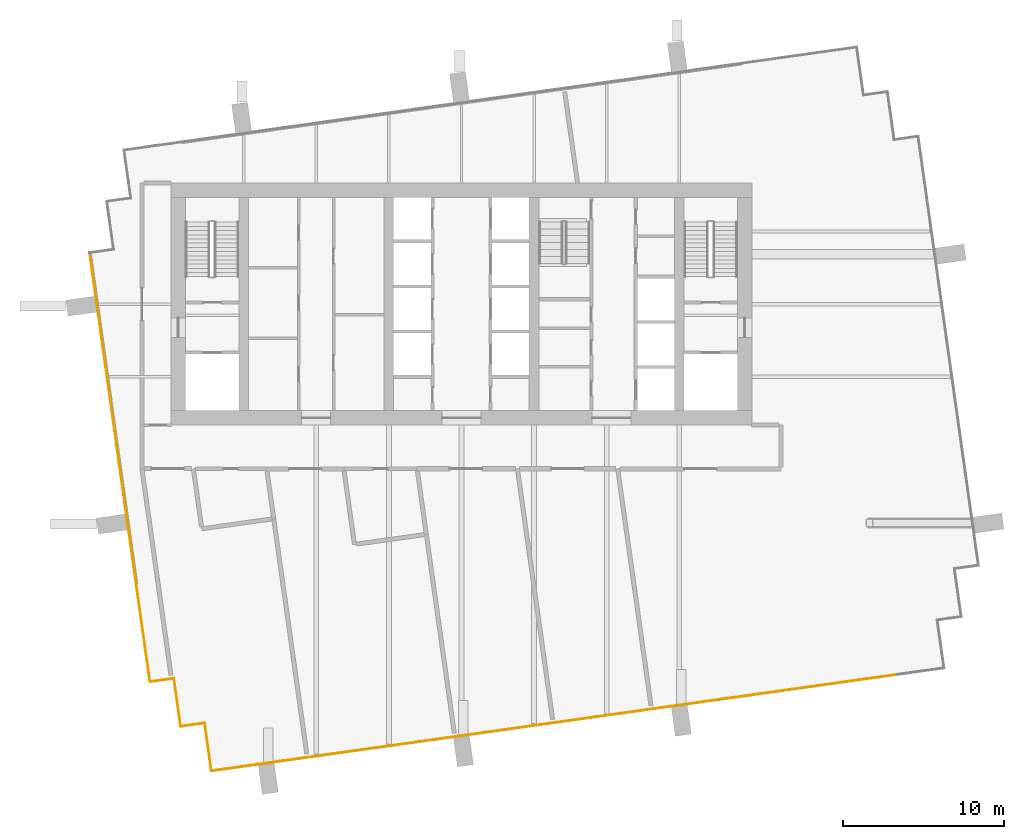
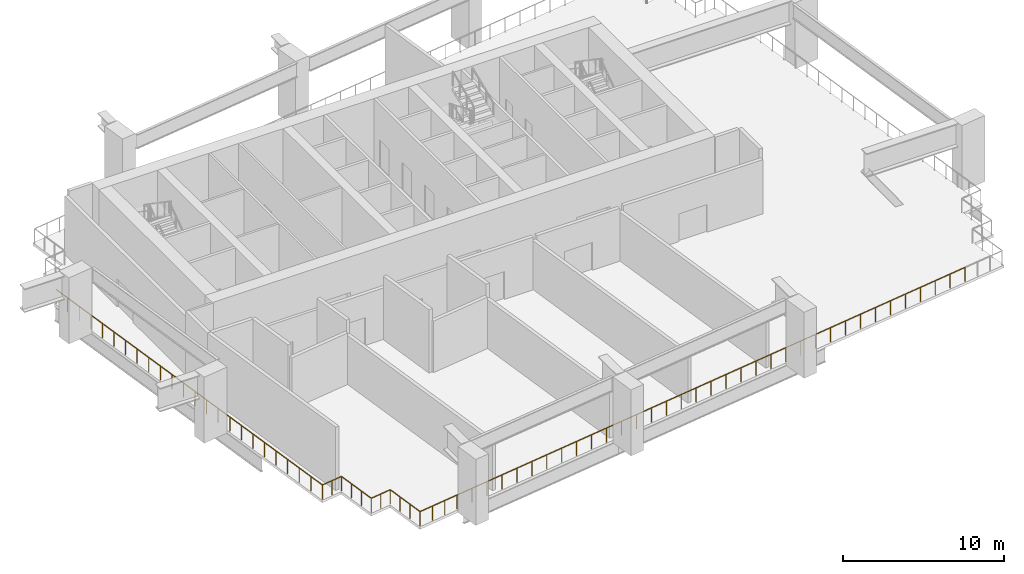
# One storey, part 5 of 10: 6 railings.
"""IFC4 building model written with IfcOpenShell, lengths in metres."""

from ifc_helpers import new_model, si_unit, direction, frame, origin, origin_2d, place, context, subcontext, project, spatial, rectangle, extrude, material, type_object, element, save


model = new_model("IFC4")

# Units and contexts
model_context = context("Model", 3, precision=1e-05, world=origin(), true_north=direction((0.0, 1.0)))
body_context = subcontext(model_context, "Body", "Model", "MODEL_VIEW")
ifc_project = project(units=[si_unit("LENGTHUNIT", "METRE"), si_unit("AREAUNIT", "SQUARE_METRE"), si_unit("VOLUMEUNIT", "CUBIC_METRE"), si_unit("PLANEANGLEUNIT", "RADIAN"), si_unit("MASSUNIT", "GRAM", prefix="KILO")], contexts=[model_context])

# Site, building, storey
site_placement = place(None, origin())
site = spatial("IfcSite", under=ifc_project, at=site_placement, CompositionType="ELEMENT")
building_placement = place(site_placement, origin())
building = spatial("IfcBuilding", under=site, at=building_placement, Name="Rattan Terrace Tower", CompositionType="ELEMENT")
storey_placement = place(building_placement, frame((0.0, 0.0, 244.699951171875)))
storey = spatial("IfcBuildingStorey", under=building, at=storey_placement, Name="L56", CompositionType="ELEMENT", Elevation=244.699951171875)

# Railings
ifc_material = material(Name="Stainless steel 316", Category="steel")
railing_type = type_object("IfcRailingType", Name="Facade Guard 1100", PredefinedType="GUARDRAIL", material=ifc_material)
railing_1_placement = place(storey_placement, frame((27.008056640625, -22.947998046875, 0.0)))
element("IfcRailing", 1, at=railing_1_placement, inside=storey, type_object=railing_type, Name="Guard L56-1", PredefinedType="GUARDRAIL", context=body_context, shape_type="SweptSolid", body=[
    extrude(rectangle(XDim=0.048095703125, YDim=0.048095703125, at=origin_2d()), frame((0.0, 0.0, 1.076171875), z_axis=(-0.990267872444, -0.139174497682, 0.0), x_axis=(0.139174497682, -0.990267872444, 0.0)), (0.0, 0.0, 1.0), 39.999267578125),
    extrude(rectangle(XDim=0.048095703125, YDim=0.048095703125, at=origin_2d()), frame((-39.610107421875, -5.56689453125, 1.076171875), z_axis=(-0.990287717845, -0.139033218639, 0.0), x_axis=(0.139033218639, -0.990287717845, 0.0)), (0.0, 0.0, 1.0), 2.920166015625),
    extrude(rectangle(XDim=0.0419921875, YDim=0.0419921875, at=origin_2d()), origin(), (0.0, 0.0, 1.0), 1.052001953125),
    extrude(rectangle(XDim=0.0419921875, YDim=0.0419921875, at=origin_2d()), frame((-1.1650390625, -0.163818359375, 0.0)), (0.0, 0.0, 1.0), 1.052001953125),
    extrude(rectangle(XDim=0.0419921875, YDim=0.0419921875, at=origin_2d()), frame((-2.330078125, -0.327392578125, 0.0)), (0.0, 0.0, 1.0), 1.052001953125),
    extrude(rectangle(XDim=0.0419921875, YDim=0.0419921875, at=origin_2d()), frame((-3.4951171875, -0.4912109375, 0.0)), (0.0, 0.0, 1.0), 1.052001953125),
    extrude(rectangle(XDim=0.0419921875, YDim=0.0419921875, at=origin_2d()), frame((-4.659912109375, -0.655029296875, 0.0)), (0.0, 0.0, 1.0), 1.052001953125),
    extrude(rectangle(XDim=0.0419921875, YDim=0.0419921875, at=origin_2d()), frame((-5.824951171875, -0.818603515625, 0.0)), (0.0, 0.0, 1.0), 1.052001953125),
    extrude(rectangle(XDim=0.0419921875, YDim=0.0419921875, at=origin_2d()), frame((-6.989990234375, -0.982421875, 0.0)), (0.0, 0.0, 1.0), 1.052001953125),
    extrude(rectangle(XDim=0.0419921875, YDim=0.0419921875, at=origin_2d()), frame((-8.155029296875, -1.146240234375, 0.0)), (0.0, 0.0, 1.0), 1.052001953125),
    extrude(rectangle(XDim=0.0419921875, YDim=0.0419921875, at=origin_2d()), frame((-9.320068359375, -1.309814453125, 0.0)), (0.0, 0.0, 1.0), 1.052001953125),
    extrude(rectangle(XDim=0.0419921875, YDim=0.0419921875, at=origin_2d()), frame((-10.485107421875, -1.4736328125, 0.0)), (0.0, 0.0, 1.0), 1.052001953125),
    extrude(rectangle(XDim=0.0419921875, YDim=0.0419921875, at=origin_2d()), frame((-11.650146484375, -1.63720703125, 0.0)), (0.0, 0.0, 1.0), 1.052001953125),
    extrude(rectangle(XDim=0.0419921875, YDim=0.0419921875, at=origin_2d()), frame((-12.81494140625, -1.801025390625, 0.0)), (0.0, 0.0, 1.0), 1.052001953125),
    extrude(rectangle(XDim=0.0419921875, YDim=0.0419921875, at=origin_2d()), frame((-13.97998046875, -1.96484375, 0.0)), (0.0, 0.0, 1.0), 1.052001953125),
    extrude(rectangle(XDim=0.0419921875, YDim=0.0419921875, at=origin_2d()), frame((-15.14501953125, -2.12841796875, 0.0)), (0.0, 0.0, 1.0), 1.052001953125),
    extrude(rectangle(XDim=0.0419921875, YDim=0.0419921875, at=origin_2d()), frame((-16.31005859375, -2.292236328125, 0.0)), (0.0, 0.0, 1.0), 1.052001953125),
    extrude(rectangle(XDim=0.0419921875, YDim=0.0419921875, at=origin_2d()), frame((-17.47509765625, -2.4560546875, 0.0)), (0.0, 0.0, 1.0), 1.052001953125),
    extrude(rectangle(XDim=0.0419921875, YDim=0.0419921875, at=origin_2d()), frame((-18.64013671875, -2.61962890625, 0.0)), (0.0, 0.0, 1.0), 1.052001953125),
    extrude(rectangle(XDim=0.0419921875, YDim=0.0419921875, at=origin_2d()), frame((-19.80517578125, -2.783447265625, 0.0)), (0.0, 0.0, 1.0), 1.052001953125),
    extrude(rectangle(XDim=0.0419921875, YDim=0.0419921875, at=origin_2d()), frame((-20.969970703125, -2.947265625, 0.0)), (0.0, 0.0, 1.0), 1.052001953125),
    extrude(rectangle(XDim=0.0419921875, YDim=0.0419921875, at=origin_2d()), frame((-22.135009765625, -3.11083984375, 0.0)), (0.0, 0.0, 1.0), 1.052001953125),
    extrude(rectangle(XDim=0.0419921875, YDim=0.0419921875, at=origin_2d()), frame((-23.300048828125, -3.274658203125, 0.0)), (0.0, 0.0, 1.0), 1.052001953125),
    extrude(rectangle(XDim=0.0419921875, YDim=0.0419921875, at=origin_2d()), frame((-24.465087890625, -3.4384765625, 0.0)), (0.0, 0.0, 1.0), 1.052001953125),
    extrude(rectangle(XDim=0.0419921875, YDim=0.0419921875, at=origin_2d()), frame((-25.630126953125, -3.60205078125, 0.0)), (0.0, 0.0, 1.0), 1.052001953125),
    extrude(rectangle(XDim=0.0419921875, YDim=0.0419921875, at=origin_2d()), frame((-26.795166015625, -3.765869140625, 0.0)), (0.0, 0.0, 1.0), 1.052001953125),
    extrude(rectangle(XDim=0.0419921875, YDim=0.0419921875, at=origin_2d()), frame((-27.9599609375, -3.9296875, 0.0)), (0.0, 0.0, 1.0), 1.052001953125),
    extrude(rectangle(XDim=0.0419921875, YDim=0.0419921875, at=origin_2d()), frame((-29.125, -4.09326171875, 0.0)), (0.0, 0.0, 1.0), 1.052001953125),
    extrude(rectangle(XDim=0.0419921875, YDim=0.0419921875, at=origin_2d()), frame((-30.2900390625, -4.257080078125, 0.0)), (0.0, 0.0, 1.0), 1.052001953125),
    extrude(rectangle(XDim=0.0419921875, YDim=0.0419921875, at=origin_2d()), frame((-31.455078125, -4.420654296875, 0.0)), (0.0, 0.0, 1.0), 1.052001953125),
    extrude(rectangle(XDim=0.0419921875, YDim=0.0419921875, at=origin_2d()), frame((-32.6201171875, -4.58447265625, 0.0)), (0.0, 0.0, 1.0), 1.052001953125),
    extrude(rectangle(XDim=0.0419921875, YDim=0.0419921875, at=origin_2d()), frame((-33.78515625, -4.748291015625, 0.0)), (0.0, 0.0, 1.0), 1.052001953125),
    extrude(rectangle(XDim=0.0419921875, YDim=0.0419921875, at=origin_2d()), frame((-34.9501953125, -4.911865234375, 0.0)), (0.0, 0.0, 1.0), 1.052001953125),
    extrude(rectangle(XDim=0.0419921875, YDim=0.0419921875, at=origin_2d()), frame((-36.114990234375, -5.07568359375, 0.0)), (0.0, 0.0, 1.0), 1.052001953125),
    extrude(rectangle(XDim=0.0419921875, YDim=0.0419921875, at=origin_2d()), frame((-37.280029296875, -5.239501953125, 0.0)), (0.0, 0.0, 1.0), 1.052001953125),
    extrude(rectangle(XDim=0.0419921875, YDim=0.0419921875, at=origin_2d()), frame((-38.445068359375, -5.403076171875, 0.0)), (0.0, 0.0, 1.0), 1.052001953125),
    extrude(rectangle(XDim=0.0419921875, YDim=0.0419921875, at=origin_2d()), frame((-39.610107421875, -5.56689453125, 0.0)), (0.0, 0.0, 1.0), 1.052001953125),
    extrude(rectangle(XDim=0.0419921875, YDim=0.0419921875, at=origin_2d()), frame((-40.573974609375, -5.7021484375, 0.0)), (0.0, 0.0, 1.0), 1.052001953125),
    extrude(rectangle(XDim=0.0419921875, YDim=0.0419921875, at=origin_2d()), frame((-41.5380859375, -5.837646484375, 0.0)), (0.0, 0.0, 1.0), 1.052001953125),
])
railing_2_placement = place(storey_placement, frame((-15.493896484375, -28.9208984375, 0.0)))
element("IfcRailing", 2, at=railing_2_placement, inside=storey, type_object=railing_type, Name="Guard L56-2", PredefinedType="GUARDRAIL", context=body_context, shape_type="SweptSolid", body=[
    extrude(rectangle(XDim=0.048095703125, YDim=0.048095703125, at=origin_2d()), frame((0.0, 0.0, 1.076171875), z_axis=(-0.139393225799, 0.990237107263, 0.0), x_axis=(-0.990237107263, -0.139393225799, 0.0)), (0.0, 0.0, 1.0), 3.000244140625),
    extrude(rectangle(XDim=0.0419921875, YDim=0.0419921875, at=origin_2d()), origin(), (0.0, 0.0, 1.0), 1.052001953125),
    extrude(rectangle(XDim=0.0419921875, YDim=0.0419921875, at=origin_2d()), frame((-0.139404296875, 0.990234375, 0.0)), (0.0, 0.0, 1.0), 1.052001953125),
    extrude(rectangle(XDim=0.0419921875, YDim=0.0419921875, at=origin_2d()), frame((-0.27880859375, 1.980712890625, 0.0)), (0.0, 0.0, 1.0), 1.052001953125),
])
railing_3_placement = place(storey_placement, frame((-15.912109375, -25.949951171875, 0.0)))
element("IfcRailing", 3, at=railing_3_placement, inside=storey, type_object=railing_type, Name="Guard L56-3", PredefinedType="GUARDRAIL", context=body_context, shape_type="SweptSolid", body=[
    extrude(rectangle(XDim=0.048095703125, YDim=0.048095703125, at=origin_2d()), frame((0.0, 0.0, 1.076171875), z_axis=(-0.990240434918, -0.139369584395, 0.0), x_axis=(0.139369584395, -0.990240434918, 0.0)), (0.0, 0.0, 1.0), 1.49951171875),
    extrude(rectangle(XDim=0.0419921875, YDim=0.0419921875, at=origin_2d()), origin(), (0.0, 0.0, 1.0), 1.052001953125),
    extrude(rectangle(XDim=0.0419921875, YDim=0.0419921875, at=origin_2d()), frame((-0.742431640625, -0.1044921875, 0.0)), (0.0, 0.0, 1.0), 1.052001953125),
])
railing_4_placement = place(storey_placement, frame((-17.39697265625, -26.158935546875, 0.0)))
element("IfcRailing", 4, at=railing_4_placement, inside=storey, type_object=railing_type, Name="Guard L56-4", PredefinedType="GUARDRAIL", context=body_context, shape_type="SweptSolid", body=[
    extrude(rectangle(XDim=0.048095703125, YDim=0.048095703125, at=origin_2d()), frame((0.0, 0.0, 1.076171875), z_axis=(-0.139313431826, 0.990248336385, 0.0), x_axis=(-0.990248336385, -0.139313431826, 0.0)), (0.0, 0.0, 1.0), 3.000244140625),
    extrude(rectangle(XDim=0.0419921875, YDim=0.0419921875, at=origin_2d()), origin(), (0.0, 0.0, 1.0), 1.052001953125),
    extrude(rectangle(XDim=0.0419921875, YDim=0.0419921875, at=origin_2d()), frame((-0.139404296875, 0.990234375, 0.0)), (0.0, 0.0, 1.0), 1.052001953125),
    extrude(rectangle(XDim=0.0419921875, YDim=0.0419921875, at=origin_2d()), frame((-0.278564453125, 1.980712890625, 0.0)), (0.0, 0.0, 1.0), 1.052001953125),
])
railing_5_placement = place(storey_placement, frame((-17.81494140625, -23.18798828125, 0.0)))
element("IfcRailing", 5, at=railing_5_placement, inside=storey, type_object=railing_type, Name="Guard L56-5", PredefinedType="GUARDRAIL", context=body_context, shape_type="SweptSolid", body=[
    extrude(rectangle(XDim=0.048095703125, YDim=0.048095703125, at=origin_2d()), frame((0.0, 0.0, 1.076171875), z_axis=(-0.990243596651, -0.13934711799, 0.0), x_axis=(0.13934711799, -0.990243596651, 0.0)), (0.0, 0.0, 1.0), 1.499755859375),
    extrude(rectangle(XDim=0.0419921875, YDim=0.0419921875, at=origin_2d()), origin(), (0.0, 0.0, 1.0), 1.052001953125),
    extrude(rectangle(XDim=0.0419921875, YDim=0.0419921875, at=origin_2d()), frame((-0.74267578125, -0.1044921875, 0.0)), (0.0, 0.0, 1.0), 1.052001953125),
])
railing_6_placement = place(storey_placement, frame((-19.300048828125, -23.39697265625, 0.0)))
element("IfcRailing", 6, at=railing_6_placement, inside=storey, type_object=railing_type, Name="Guard L56-6", PredefinedType="GUARDRAIL", context=body_context, shape_type="SweptSolid", body=[
    extrude(rectangle(XDim=0.048095703125, YDim=0.048095703125, at=origin_2d()), frame((0.0, 0.0, 1.076171875), z_axis=(-0.139188630069, 0.990265886143, 0.0), x_axis=(-0.990265886143, -0.139188630069, 0.0)), (0.0, 0.0, 1.0), 26.840087890625),
    extrude(rectangle(XDim=0.0419921875, YDim=0.0419921875, at=origin_2d()), origin(), (0.0, 0.0, 1.0), 1.052001953125),
    extrude(rectangle(XDim=0.0419921875, YDim=0.0419921875, at=origin_2d()), frame((-0.162353515625, 1.155517578125, 0.0)), (0.0, 0.0, 1.0), 1.052001953125),
    extrude(rectangle(XDim=0.0419921875, YDim=0.0419921875, at=origin_2d()), frame((-0.324951171875, 2.311279296875, 0.0)), (0.0, 0.0, 1.0), 1.052001953125),
    extrude(rectangle(XDim=0.0419921875, YDim=0.0419921875, at=origin_2d()), frame((-0.4873046875, 3.466796875, 0.0)), (0.0, 0.0, 1.0), 1.052001953125),
    extrude(rectangle(XDim=0.0419921875, YDim=0.0419921875, at=origin_2d()), frame((-0.649658203125, 4.622314453125, 0.0)), (0.0, 0.0, 1.0), 1.052001953125),
    extrude(rectangle(XDim=0.0419921875, YDim=0.0419921875, at=origin_2d()), frame((-0.812255859375, 5.778076171875, 0.0)), (0.0, 0.0, 1.0), 1.052001953125),
    extrude(rectangle(XDim=0.0419921875, YDim=0.0419921875, at=origin_2d()), frame((-0.974609375, 6.93359375, 0.0)), (0.0, 0.0, 1.0), 1.052001953125),
    extrude(rectangle(XDim=0.0419921875, YDim=0.0419921875, at=origin_2d()), frame((-1.136962890625, 8.089111328125, 0.0)), (0.0, 0.0, 1.0), 1.052001953125),
    extrude(rectangle(XDim=0.0419921875, YDim=0.0419921875, at=origin_2d()), frame((-1.29931640625, 9.244873046875, 0.0)), (0.0, 0.0, 1.0), 1.052001953125),
    extrude(rectangle(XDim=0.0419921875, YDim=0.0419921875, at=origin_2d()), frame((-1.4619140625, 10.400390625, 0.0)), (0.0, 0.0, 1.0), 1.052001953125),
    extrude(rectangle(XDim=0.0419921875, YDim=0.0419921875, at=origin_2d()), frame((-1.624267578125, 11.555908203125, 0.0)), (0.0, 0.0, 1.0), 1.052001953125),
    extrude(rectangle(XDim=0.0419921875, YDim=0.0419921875, at=origin_2d()), frame((-1.78662109375, 12.711669921875, 0.0)), (0.0, 0.0, 1.0), 1.052001953125),
    extrude(rectangle(XDim=0.0419921875, YDim=0.0419921875, at=origin_2d()), frame((-1.94921875, 13.8671875, 0.0)), (0.0, 0.0, 1.0), 1.052001953125),
    extrude(rectangle(XDim=0.0419921875, YDim=0.0419921875, at=origin_2d()), frame((-2.111572265625, 15.02294921875, 0.0)), (0.0, 0.0, 1.0), 1.052001953125),
    extrude(rectangle(XDim=0.0419921875, YDim=0.0419921875, at=origin_2d()), frame((-2.27392578125, 16.178466796875, 0.0)), (0.0, 0.0, 1.0), 1.052001953125),
    extrude(rectangle(XDim=0.0419921875, YDim=0.0419921875, at=origin_2d()), frame((-2.4365234375, 17.333984375, 0.0)), (0.0, 0.0, 1.0), 1.052001953125),
    extrude(rectangle(XDim=0.0419921875, YDim=0.0419921875, at=origin_2d()), frame((-2.598876953125, 18.48974609375, 0.0)), (0.0, 0.0, 1.0), 1.052001953125),
    extrude(rectangle(XDim=0.0419921875, YDim=0.0419921875, at=origin_2d()), frame((-2.76123046875, 19.645263671875, 0.0)), (0.0, 0.0, 1.0), 1.052001953125),
    extrude(rectangle(XDim=0.0419921875, YDim=0.0419921875, at=origin_2d()), frame((-2.923583984375, 20.80078125, 0.0)), (0.0, 0.0, 1.0), 1.052001953125),
    extrude(rectangle(XDim=0.0419921875, YDim=0.0419921875, at=origin_2d()), frame((-3.086181640625, 21.95654296875, 0.0)), (0.0, 0.0, 1.0), 1.052001953125),
    extrude(rectangle(XDim=0.0419921875, YDim=0.0419921875, at=origin_2d()), frame((-3.24853515625, 23.112060546875, 0.0)), (0.0, 0.0, 1.0), 1.052001953125),
    extrude(rectangle(XDim=0.0419921875, YDim=0.0419921875, at=origin_2d()), frame((-3.410888671875, 24.267578125, 0.0)), (0.0, 0.0, 1.0), 1.052001953125),
    extrude(rectangle(XDim=0.0419921875, YDim=0.0419921875, at=origin_2d()), frame((-3.573486328125, 25.42333984375, 0.0)), (0.0, 0.0, 1.0), 1.052001953125),
])

save(model, "model.ifc")
